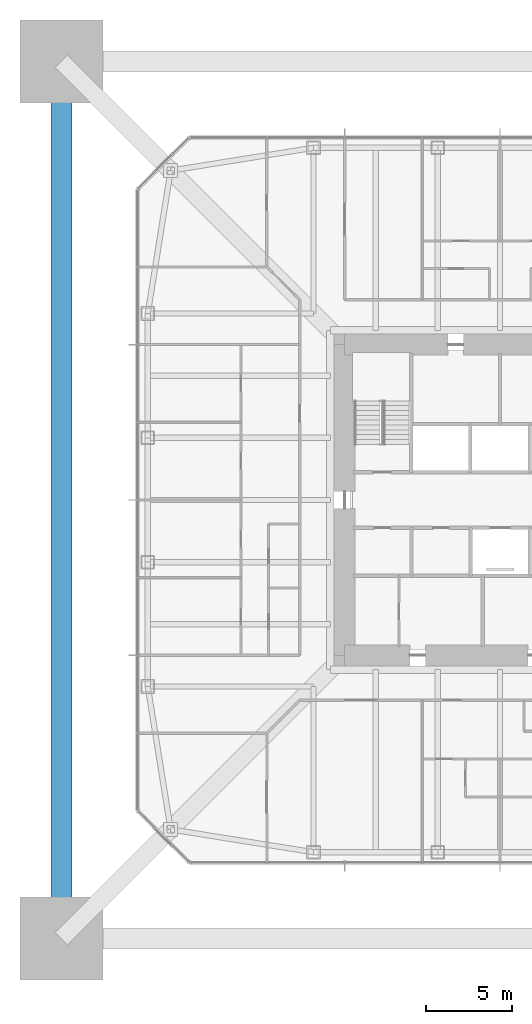
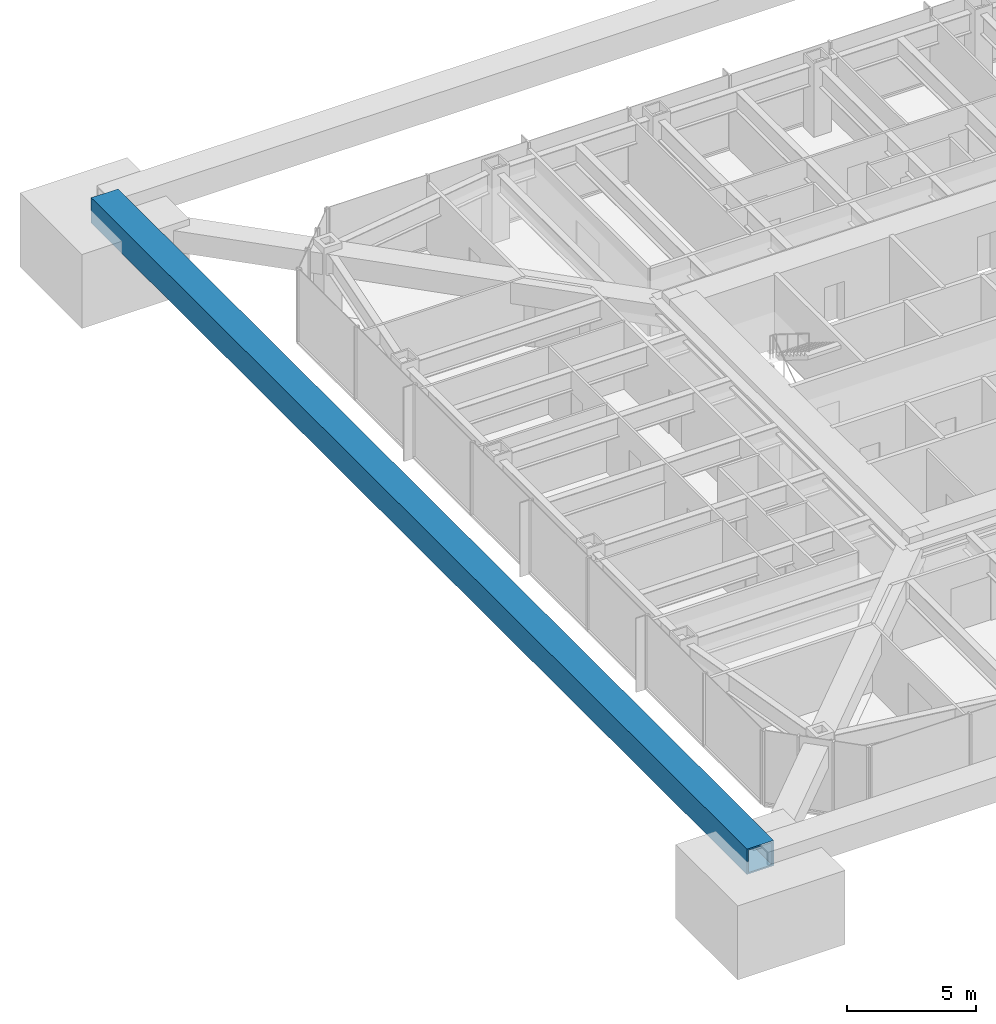
# One storey, part 5 of 20: 1 member.
"""IFC4 building model written with IfcOpenShell, lengths in metres."""

import ifcopenshell
import ifcopenshell.guid

model = None  # the IFC model being written
_history = None  # IfcOwnerHistory: only IFC2X3 demands one
_inside = {}  # id of a spatial element -> (the spatial element, [elements in it])
_under = {}  # id of a project, library or spatial element -> (it, [spatial elements below it])
_declared = {}  # id of a project -> (the project, [libraries it declares])
_typed = {}  # id of a type object -> (the type object, [elements of that type])
_made_of = {}  # id of a material, layer set ... -> (it, [elements and type objects made of it])


def new_model(schema):
    """Start an empty IFC model of exactly this schema.

    Asked for "IFC4X3", IfcOpenShell would pick the latest addendum, in which some entities
    have other attributes; the version numbers below select the first issue.
    IFC2X3 requires an IfcOwnerHistory on every rooted entity: one is made here for all.
    """
    global model, _history
    if schema == "IFC4X3":
        model = ifcopenshell.file(schema_version=(4, 3, 0, 0))
    else:
        model = ifcopenshell.file(schema=schema)
    _inside.clear()
    _under.clear()
    _declared.clear()
    _typed.clear()
    _made_of.clear()
    _history = None
    if model.schema == "IFC2X3":
        org = make("IfcOrganization", Name="unknown")
        user = make(
            "IfcPersonAndOrganization",
            ThePerson=make("IfcPerson", FamilyName="unknown"),
            TheOrganization=org,
        )
        app = make(
            "IfcApplication",
            ApplicationDeveloper=org,
            Version="unknown",
            ApplicationFullName="unknown",
            ApplicationIdentifier="unknown",
        )
        _history = make(
            "IfcOwnerHistory",
            OwningUser=user,
            OwningApplication=app,
            ChangeAction="ADDED",
            CreationDate=0,
        )
    return model


def make(cls, **values):
    """One entity of the class cls with the attributes given. An attribute that is None is left unset."""
    return model.create_entity(
        cls, **{name: value for name, value in values.items() if value is not None}
    )


def rooted(cls, **values):
    """An entity with a GlobalId (a new one), such as an element, a storey or a relation."""
    return make(cls, GlobalId=ifcopenshell.guid.new(), OwnerHistory=_history, **values)


def si_unit(unit_type, name, prefix=None):
    """IfcSIUnit, for example si_unit("LENGTHUNIT", "METRE", prefix="MILLI")."""
    return make("IfcSIUnit", UnitType=unit_type, Prefix=prefix, Name=name)


def assignment(units):
    """IfcUnitAssignment: the units of a project."""
    return None if units is None else make("IfcUnitAssignment", Units=units)


def point(xyz):
    """IfcCartesianPoint."""
    return None if xyz is None else make("IfcCartesianPoint", Coordinates=xyz)


def direction(xyz):
    """IfcDirection."""
    return None if xyz is None else make("IfcDirection", DirectionRatios=xyz)


def frame(location, z_axis=None, x_axis=None):
    """IfcAxis2Placement3D, a coordinate frame: its origin and axes. An axis left out is left unset."""
    return make(
        "IfcAxis2Placement3D",
        Location=point(location),
        Axis=direction(z_axis),
        RefDirection=direction(x_axis),
    )


def frame_2d(location, x_axis=None):
    """IfcAxis2Placement2D, a coordinate frame in the plane: its origin and x axis."""
    return make(
        "IfcAxis2Placement2D", Location=point(location), RefDirection=direction(x_axis)
    )


def origin():
    """The frame at (0, 0, 0) with its axes left unset."""
    return frame((0.0, 0.0, 0.0))


def origin_2d():
    """The frame at (0, 0) in the plane with its x axis left unset."""
    return frame_2d((0.0, 0.0))


def place(relative_to, where):
    """IfcLocalPlacement: puts the frame where relative to a parent placement (None: the world)."""
    return make(
        "IfcLocalPlacement", PlacementRelTo=relative_to, RelativePlacement=where
    )


def context(
    kind, dimensions, precision=None, world=None, true_north=None, identifier=None
):
    """IfcGeometricRepresentationContext, for example the 3D "Model" context."""
    return make(
        "IfcGeometricRepresentationContext",
        ContextIdentifier=identifier,
        ContextType=kind,
        CoordinateSpaceDimension=dimensions,
        Precision=precision,
        WorldCoordinateSystem=world,
        TrueNorth=true_north,
    )


def subcontext(parent, identifier, kind, view, scale=None):
    """IfcGeometricRepresentationSubContext, for example "Body" below "Model"."""
    return make(
        "IfcGeometricRepresentationSubContext",
        ContextIdentifier=identifier,
        ContextType=kind,
        ParentContext=parent,
        TargetScale=scale,
        TargetView=view,
    )


def project(units=None, contexts=None):
    """IfcProject with its units and contexts."""
    return rooted(
        "IfcProject",
        Name="project",
        RepresentationContexts=contexts,
        UnitsInContext=assignment(units),
    )


def spatial(cls, under=None, at=None, **own):
    """A site, building, storey or space (cls), placed at a placement, below another one or the project."""
    s = rooted(cls, ObjectPlacement=at, **own)
    if under is not None:
        _under.setdefault(under.id(), (under, []))[1].append(s)
    return s


def profile(cls, at=None, kind="AREA", **sizes):
    """A parametric profile (cls). Its sizes go by their IFC names, for example OverallWidth=200.0."""
    return make(cls, ProfileType=kind, Position=at, **sizes)


def hollow_rectangle(**sizes):
    """IfcRectangleHollowProfileDef."""
    return profile("IfcRectangleHollowProfileDef", **sizes)


def extrude(swept, where, along, depth):
    """IfcExtrudedAreaSolid: the profile swept, set in the frame where, extruded along a direction by depth."""
    return make(
        "IfcExtrudedAreaSolid",
        SweptArea=swept,
        Position=where,
        ExtrudedDirection=direction(along),
        Depth=depth,
    )


def shape(context_of_items, identifier, shape_type, items):
    """IfcShapeRepresentation: the items that make up one representation, for example the "Body"."""
    return make(
        "IfcShapeRepresentation",
        ContextOfItems=context_of_items,
        RepresentationIdentifier=identifier,
        RepresentationType=shape_type,
        Items=items,
    )


def material(Name=None, Category=None):
    """IfcMaterial."""
    return make("IfcMaterial", Name=Name, Category=Category)


def material_profile(
    of_material, cross_section, Name=None, Category=None, Priority=None
):
    """IfcMaterialProfile: a cross section and its material."""
    return make(
        "IfcMaterialProfile",
        Name=Name,
        Material=of_material,
        Profile=cross_section,
        Priority=Priority,
        Category=Category,
    )


def profile_set(profiles, Name=None, composite=None):
    """IfcMaterialProfileSet."""
    return make(
        "IfcMaterialProfileSet",
        Name=Name,
        MaterialProfiles=profiles,
        CompositeProfile=composite,
    )


def made_of(thing, what):
    """Note that an element or type object is made of a material, layer set ...; save() writes the relation."""
    if what is not None:
        _made_of.setdefault(what.id(), (what, []))[1].append(thing)
    return thing


def type_object(cls, material=None, **own):
    """A type object (cls), such as IfcWallType, which elements share."""
    return made_of(rooted(cls, **own), material)


def element(
    cls,
    number,
    at=None,
    inside=None,
    cuts=None,
    type_object=None,
    material=None,
    context=None,
    identifier="Body",
    shape_type=None,
    held_by="IfcProductDefinitionShape",
    body=None,
    shapes=None,
    **own,
):
    """One element of the class cls, such as IfcWall. Its Tag is "e" and its number.

    at: its placement. inside: the storey or other place that contains it. cuts: it is an
    opening in that element (IfcRelVoidsElement). A single representation is given by context,
    identifier, shape_type and body (its items); several are given by shapes. held_by: the class
    of the entity that holds the representations. save() writes the other relations.
    """
    e = rooted(cls, Tag="e%d" % number, ObjectPlacement=at, **own)
    if body is not None:
        shapes = [shape(context, identifier, shape_type, body)]
    if shapes is not None:
        e.Representation = make(held_by, Representations=shapes)
    if inside is not None:
        _inside.setdefault(inside.id(), (inside, []))[1].append(e)
    if cuts is not None:
        rooted(
            "IfcRelVoidsElement", RelatingBuildingElement=cuts, RelatedOpeningElement=e
        )
    if type_object is not None:
        _typed.setdefault(type_object.id(), (type_object, []))[1].append(e)
    return made_of(e, material)


def aggregate(whole, parts):
    """IfcRelAggregates: a whole, such as a stair, and the parts it consists of."""
    return rooted("IfcRelAggregates", RelatingObject=whole, RelatedObjects=parts)


def save(model, path):
    """Write the relations noted so far, then the file.

    IfcRelAggregates (storeys below a building ...), IfcRelContainedInSpatialStructure (elements
    in a storey), IfcRelDefinesByType, IfcRelAssociatesMaterial and IfcRelDeclares: one each for
    every whole, place, type object, material and project.
    """
    for whole, parts in _under.values():
        aggregate(whole, parts)
    for where, things in _inside.values():
        rooted(
            "IfcRelContainedInSpatialStructure",
            RelatedElements=things,
            RelatingStructure=where,
        )
    for kind, things in _typed.values():
        rooted("IfcRelDefinesByType", RelatedObjects=things, RelatingType=kind)
    for what, things in _made_of.values():
        rooted("IfcRelAssociatesMaterial", RelatedObjects=things, RelatingMaterial=what)
    for by, libraries in _declared.values():
        rooted("IfcRelDeclares", RelatingContext=by, RelatedDefinitions=libraries)
    model.write(path)


model = new_model("IFC4")

# Units and contexts
model_context = context("Model", 3, precision=1e-05, world=origin(), true_north=direction((0.0, 1.0)))
body_context = subcontext(model_context, "Body", "Model", "MODEL_VIEW")
ifc_project = project(units=[si_unit("LENGTHUNIT", "METRE"), si_unit("AREAUNIT", "SQUARE_METRE"), si_unit("VOLUMEUNIT", "CUBIC_METRE"), si_unit("PLANEANGLEUNIT", "RADIAN"), si_unit("MASSUNIT", "GRAM", prefix="KILO")], contexts=[model_context])

# Site, building, storey
site_placement = place(None, origin())
site = spatial("IfcSite", under=ifc_project, at=site_placement, CompositionType="ELEMENT")
building_placement = place(site_placement, origin())
building = spatial("IfcBuilding", under=site, at=building_placement, Name="Iwan Alto Co-Living Towers", CompositionType="ELEMENT")
storey_placement = place(building_placement, frame((0.0, 0.0, 140.0)))
storey = spatial("IfcBuildingStorey", under=building, at=storey_placement, Name="L38", CompositionType="ELEMENT", Elevation=140.0)

# Member
ifc_material = material(Name="Steel ASTM A572 Gr 50", Category="steel")
ifc_material_profile = material_profile(ifc_material, hollow_rectangle(XDim=1.199951171875, YDim=1.199951171875, WallThickness=0.070068359375, at=origin_2d()), Name="BOX 1200X1200X70")
ifc_profile_set = profile_set([ifc_material_profile], Name="Steel ASTM A572 Gr 50")
member_type = type_object("IfcMemberType", Name="T1 MEGA BELT TIE BOX 1200X1200X70", PredefinedType="STRUT", material=ifc_profile_set)
member_placement = place(storey_placement, frame((-25.39990234375, 25.39990234375, 3.5), z_axis=(0.0, -1.0, 0.0), x_axis=(1.0, 0.0, 0.0)))
element("IfcMember", 1, at=member_placement, inside=storey, type_object=member_type, Name="T1 mega belt tie W L39", PredefinedType="STRUT", context=body_context, shape_type="SweptSolid", body=[
    extrude(hollow_rectangle(XDim=1.199951171875, YDim=1.199951171875, WallThickness=0.070068359375, at=origin_2d()), origin(), (0.0, 0.0, 1.0), 50.7998046875),
])

save(model, "model.ifc")
